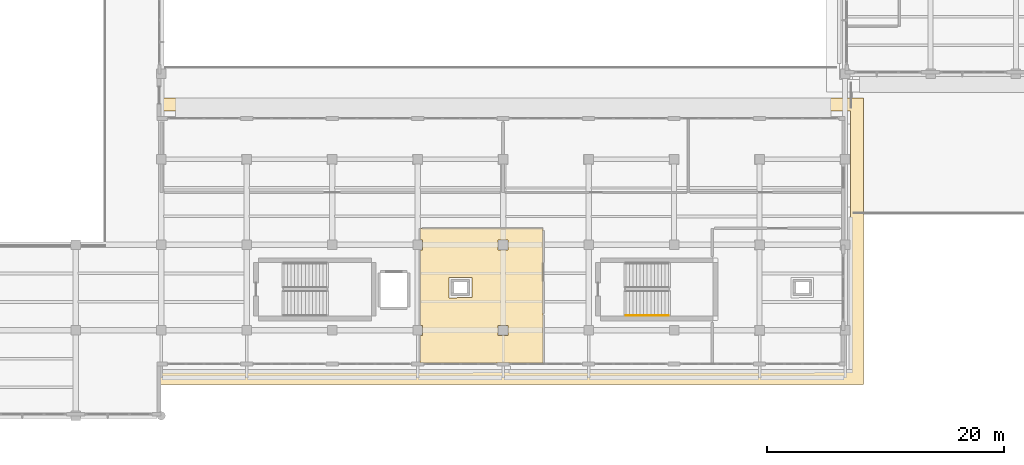
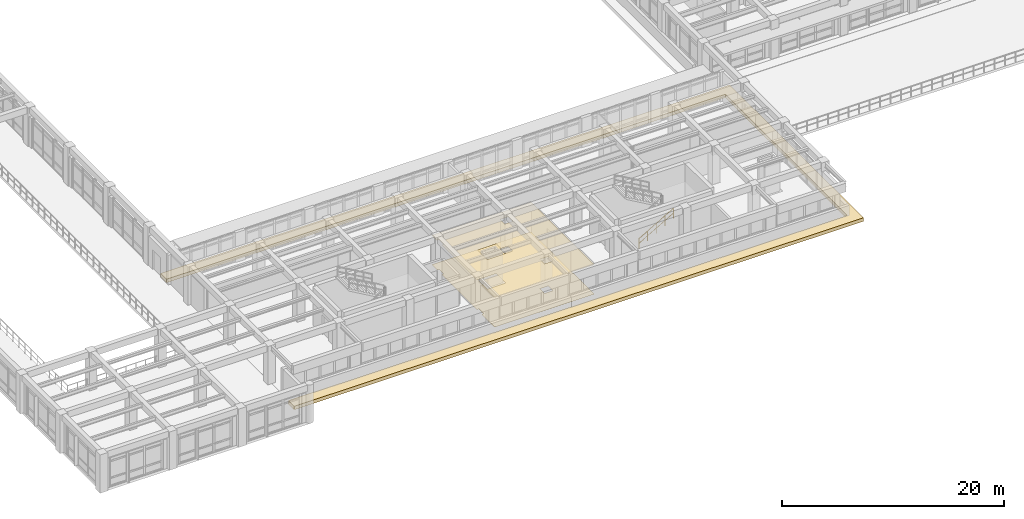
# One storey, part 55 of 67: 3 coverings, 1 railing.
"""IFC4 building model written with IfcOpenShell, lengths in metres."""

from ifc_helpers import new_model, si_unit, direction, frame, origin, origin_2d, place, context, subcontext, project, spatial, polyline, circle, outline, extrude, material, layer, layer_set, type_object, element, save


model = new_model("IFC4")

# Units and contexts
model_context = context("Model", 3, precision=1e-05, world=origin(), true_north=direction((0.0, 1.0)))
body_context = subcontext(model_context, "Body", "Model", "MODEL_VIEW")
ifc_project = project(units=[si_unit("LENGTHUNIT", "METRE"), si_unit("AREAUNIT", "SQUARE_METRE"), si_unit("VOLUMEUNIT", "CUBIC_METRE"), si_unit("PLANEANGLEUNIT", "RADIAN"), si_unit("MASSUNIT", "GRAM", prefix="KILO")], contexts=[model_context])

# Site, building, storey
site_placement = place(None, origin())
site = spatial("IfcSite", under=ifc_project, at=site_placement, CompositionType="ELEMENT")
building_placement = place(site_placement, origin())
building = spatial("IfcBuilding", under=site, at=building_placement, Name="Solenvale Faculty of Natural Sciences", CompositionType="ELEMENT")
storey_placement = place(building_placement, frame((0.0, 0.0, 13.5)))
storey = spatial("IfcBuildingStorey", under=building, at=storey_placement, Name="L03", CompositionType="ELEMENT", Elevation=13.5)

# Coverings
ifc_material_1 = material(Name="Acoustic mineral-timber ceiling", Category="wood")
ifc_layer_1 = layer(ifc_material_1, 0.02490234375)
ifc_layer_set_1 = layer_set([ifc_layer_1], Name="Acoustic mineral-timber ceiling")
covering_type_1 = type_object("IfcCoveringType", Name="COV-CEIL-AC25", PredefinedType="CEILING", material=ifc_layer_set_1)
covering_1_placement = place(storey_placement, frame((0.0, 0.0, 3.235107421875)))
element("IfcCovering", 1, at=covering_1_placement, inside=storey, type_object=covering_type_1, Name="L03 Biochemistry Teaching Laboratory Acoustic Ceiling", PredefinedType="CEILING", context=body_context, shape_type="SweptSolid", body=[
    extrude(outline(polyline([(89.72998046875, 30.159912109375), (89.7509765625, 30.15087890625), (89.760009765625, 30.1298828125), (89.760009765625, 23.0), (89.780029296875, 22.950927734375), (89.780029296875, 18.8701171875), (89.77099609375, 18.84912109375), (89.75, 18.840087890625), (79.449951171875, 18.840087890625), (79.428955078125, 18.84912109375), (79.419921875, 18.8701171875), (79.419921875, 21.14794921875), (79.444091796875, 21.174072265625), (79.615966796875, 21.175048828125), (79.625, 21.18603515625), (79.625, 22.01708984375), (79.444091796875, 22.02587890625), (79.419921875, 22.054931640625), (79.419921875, 28.344970703125), (79.444091796875, 28.3740234375), (79.615966796875, 28.375), (79.625, 28.385986328125), (79.625, 29.217041015625), (79.444091796875, 29.22607421875), (79.419921875, 29.251953125), (79.419921875, 30.1298828125), (79.428955078125, 30.15087890625), (79.449951171875, 30.159912109375), (89.72998046875, 30.159912109375)]), holes=[polyline([(85.986083984375, 22.02490234375), (85.97509765625, 22.013916015625), (85.97802734375, 21.177978515625), (86.822021484375, 21.177978515625), (86.822021484375, 22.02197265625), (85.986083984375, 22.02490234375)]), polyline([(85.986083984375, 29.22509765625), (85.97509765625, 29.214111328125), (85.97802734375, 28.3779296875), (86.822021484375, 28.3779296875), (86.822021484375, 29.221923828125), (85.986083984375, 29.22509765625)]), polyline([(83.760009765625, 26.031982421875), (83.75, 26.052001953125), (83.72998046875, 26.06005859375), (81.85009765625, 26.052001953125), (81.840087890625, 26.030029296875), (81.847900390625, 24.35009765625), (81.8701171875, 24.340087890625), (83.75, 24.347900390625), (83.760009765625, 24.3701171875), (83.760009765625, 26.031982421875)])]), origin(), (0.0, 0.0, 1.0), 0.02490234375),
])
ifc_material_2 = material(Name="Seamless laboratory vinyl flooring")
ifc_layer_2 = layer(ifc_material_2, 0.008056640625)
ifc_layer_set_2 = layer_set([ifc_layer_2], Name="Seamless laboratory vinyl flooring")
covering_type_2 = type_object("IfcCoveringType", Name="COV-FLR-VNL08", PredefinedType="FLOORING", material=ifc_layer_set_2)
covering_2_placement = place(storey_placement, origin())
element("IfcCovering", 2, at=covering_2_placement, inside=storey, type_object=covering_type_2, Name="L03 Biochemistry Teaching Laboratory Floor Finish", PredefinedType="FLOORING", context=body_context, shape_type="SweptSolid", body=[
    extrude(outline(polyline([(89.72998046875, 30.159912109375), (89.7509765625, 30.15087890625), (89.760009765625, 30.1298828125), (89.760009765625, 23.0), (89.780029296875, 22.950927734375), (89.780029296875, 18.8701171875), (89.77099609375, 18.84912109375), (89.75, 18.840087890625), (79.449951171875, 18.840087890625), (79.428955078125, 18.84912109375), (79.419921875, 18.8701171875), (79.419921875, 21.14794921875), (79.444091796875, 21.174072265625), (79.615966796875, 21.175048828125), (79.625, 21.18603515625), (79.625, 22.01708984375), (79.444091796875, 22.02587890625), (79.419921875, 22.054931640625), (79.419921875, 28.344970703125), (79.444091796875, 28.3740234375), (79.615966796875, 28.375), (79.625, 28.385986328125), (79.625, 29.217041015625), (79.444091796875, 29.22607421875), (79.419921875, 29.251953125), (79.419921875, 30.1298828125), (79.428955078125, 30.15087890625), (79.449951171875, 30.159912109375), (89.72998046875, 30.159912109375)]), holes=[polyline([(85.986083984375, 22.02490234375), (85.97509765625, 22.013916015625), (85.97802734375, 21.177978515625), (86.822021484375, 21.177978515625), (86.822021484375, 22.02197265625), (85.986083984375, 22.02490234375)]), polyline([(85.986083984375, 29.22509765625), (85.97509765625, 29.214111328125), (85.97802734375, 28.3779296875), (86.822021484375, 28.3779296875), (86.822021484375, 29.221923828125), (85.986083984375, 29.22509765625)]), polyline([(83.760009765625, 26.031982421875), (83.75, 26.052001953125), (83.72998046875, 26.06005859375), (81.85009765625, 26.052001953125), (81.840087890625, 26.030029296875), (81.847900390625, 24.35009765625), (81.8701171875, 24.340087890625), (83.75, 24.347900390625), (83.760009765625, 24.3701171875), (83.760009765625, 26.031982421875)])]), origin(), (0.0, 0.0, 1.0), 0.008056640625),
])
ifc_material_3 = material(Name="Insulated EPDM roofing membrane")
ifc_layer_3 = layer(ifc_material_3, 0.06494140625)
ifc_layer_set_3 = layer_set([ifc_layer_3], Name="Insulated EPDM roofing membrane")
covering_type_3 = type_object("IfcCoveringType", Name="COV-ROOF-MEMB", PredefinedType="ROOFING", material=ifc_layer_set_3)
covering_3_placement = place(storey_placement, frame((0.0, 0.0, -0.340087890625)))
element("IfcCovering", 3, at=covering_3_placement, inside=storey, type_object=covering_type_3, Name="L03 Projecting Horizontal Bronze Concrete Tray Ledge 1", PredefinedType="CLADDING", context=body_context, shape_type="SweptSolid", body=[
    extrude(outline(polyline([(115.679931640625, 18.1201171875), (115.679931640625, 40.080078125), (57.570068359375, 40.080078125), (57.555908203125, 40.0859375), (57.550048828125, 40.10009765625), (57.552001953125, 41.137939453125), (57.570068359375, 41.14990234375), (116.72998046875, 41.14990234375), (116.743896484375, 41.14404296875), (116.75, 41.1298828125), (116.75, 17.070068359375), (116.738037109375, 17.052001953125), (57.56201171875, 17.052001953125), (57.550048828125, 17.070068359375), (57.550048828125, 18.10009765625), (57.555908203125, 18.114013671875), (57.570068359375, 18.1201171875), (115.679931640625, 18.1201171875)])), origin(), (0.0, 0.0, 1.0), 0.380126953125),
])

# Railing
ifc_material_4 = material(Name="Stainless steel Grade 304", Category="steel")
railing_type = type_object("IfcRailingType", Name="RL-HND-900", PredefinedType="HANDRAIL", material=ifc_material_4)
railing_placement = place(storey_placement, frame((96.739990234375, 22.85009765625, 0.173095703125)))
element("IfcRailing", 4, at=railing_placement, inside=storey, type_object=railing_type, Name="L03 ST-07 stair handrail 1", PredefinedType="HANDRAIL", context=body_context, shape_type="SweptSolid", body=[
    extrude(circle(Radius=0.02392578125, at=origin_2d()), frame((0.0, 0.0, 1.0732421875), z_axis=(0.866193409371, 0.0, 0.499708892819), x_axis=(0.0, 1.0, 0.0)), (0.0, 0.0, 1.0), 4.15625),
    extrude(circle(Radius=0.01611328125, at=origin_2d()), frame((0.0, 0.0, 0.548583984375), z_axis=(0.866193409371, 0.0, 0.499708892819), x_axis=(0.0, 1.0, 0.0)), (0.0, 0.0, 1.0), 4.15625),
    extrude(circle(Radius=0.02099609375, at=origin_2d()), origin(), (0.0, 0.0, 1.0), 1.049072265625),
    extrude(circle(Radius=0.02099609375, at=origin_2d()), frame((0.89990234375, 0.0, 0.519287109375)), (0.0, 0.0, 1.0), 1.049072265625),
    extrude(circle(Radius=0.02099609375, at=origin_2d()), frame((1.800048828125, 0.0, 1.03857421875)), (0.0, 0.0, 1.0), 1.049072265625),
    extrude(circle(Radius=0.02099609375, at=origin_2d()), frame((2.7001953125, 0.0, 1.5576171875)), (0.0, 0.0, 1.0), 1.049072265625),
    extrude(circle(Radius=0.02099609375, at=origin_2d()), frame((3.60009765625, 0.0, 2.076904296875)), (0.0, 0.0, 1.0), 1.049072265625),
])

save(model, "model.ifc")
